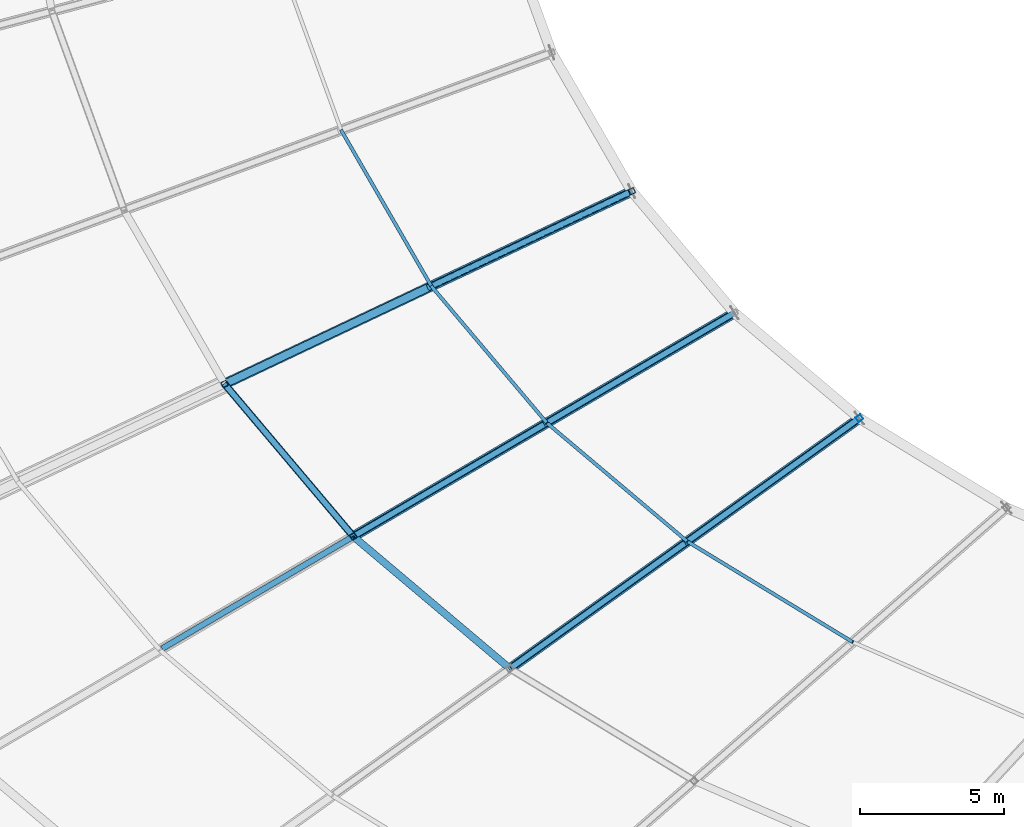
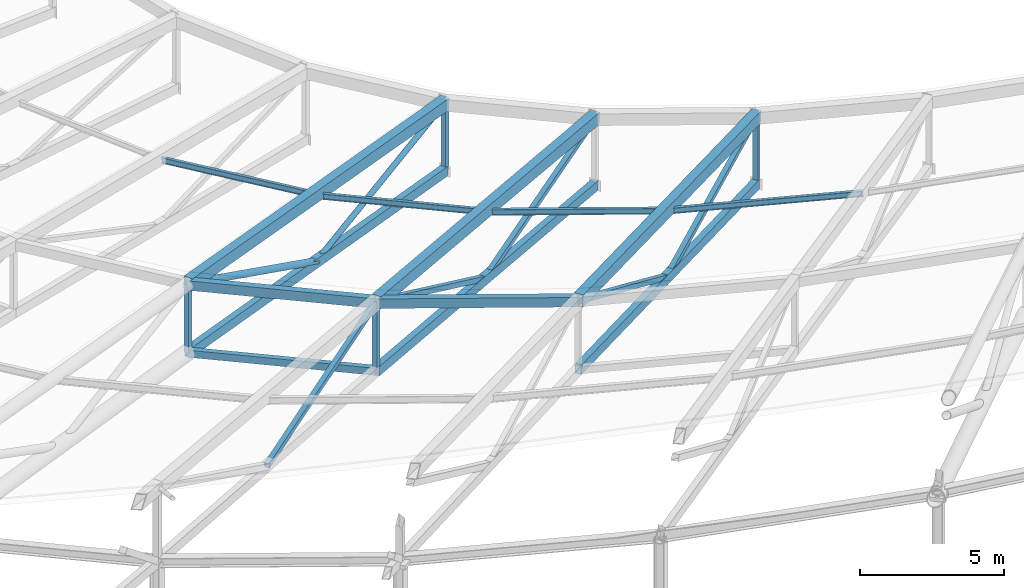
# One storey, part 26 of 143: 16 members, 8 beams.
"""IFC4 building model written with IfcOpenShell, lengths in metres."""

from ifc_helpers import new_model, si_unit, direction, frame, origin, origin_2d, place, context, subcontext, project, spatial, hollow_rectangle, hollow_circle, i_section, extrude, material, material_profile, profile_set, type_object, element, save


model = new_model("IFC4")

# Units and contexts
model_context = context("Model", 3, precision=1e-05, world=origin(), true_north=direction((0.0, 1.0)))
body_context = subcontext(model_context, "Body", "Model", "MODEL_VIEW")
ifc_project = project(units=[si_unit("LENGTHUNIT", "METRE"), si_unit("AREAUNIT", "SQUARE_METRE"), si_unit("VOLUMEUNIT", "CUBIC_METRE"), si_unit("PLANEANGLEUNIT", "RADIAN"), si_unit("MASSUNIT", "GRAM", prefix="KILO")], contexts=[model_context])

# Site, building, storey
site_placement = place(None, origin())
site = spatial("IfcSite", under=ifc_project, at=site_placement, CompositionType="ELEMENT")
building_placement = place(site_placement, origin())
building = spatial("IfcBuilding", under=site, at=building_placement, Name="Mphavela Belvedere Stadium", CompositionType="ELEMENT")
storey_placement = place(building_placement, frame((0.0, 0.0, 28.800048828125)))
storey = spatial("IfcBuildingStorey", under=building, at=storey_placement, Name="RF", CompositionType="ELEMENT", Elevation=28.800048828125)

# Beams
ifc_material_1 = material(Name="Steel S355", Category="steel")
ifc_material_profile_1 = material_profile(ifc_material_1, hollow_rectangle(XDim=0.25, YDim=0.39990234375, WallThickness=0.01611328125, at=origin_2d()), Name="RHS 400x250x16")
ifc_profile_set_1 = profile_set([ifc_material_profile_1], Name="Steel S355")
beam_type_1 = type_object("IfcBeamType", Name="BM-RING-MID", PredefinedType="BEAM", material=ifc_profile_set_1)
beam_1_placement = place(storey_placement, frame((45.16552734375, 53.945068359375, 4.30712890625), z_axis=(0.640074393975, -0.757992954841, 0.125504783132), x_axis=(0.764034161883, 0.645175789592, 0.0)))
element("IfcBeam", 1, at=beam_1_placement, inside=storey, type_object=beam_type_1, Name="Intermediate roof ring beam RB-MID-29", PredefinedType="BEAM", context=body_context, shape_type="SweptSolid", body=[
    extrude(hollow_rectangle(XDim=0.25, YDim=0.39990234375, WallThickness=0.01611328125, at=origin_2d()), origin(), (0.0, 0.0, 1.0), 6.9833984375),
])
beam_2_placement = place(storey_placement, frame((49.635498046875, 48.651611328125, 5.18359375), z_axis=(0.757645625472, -0.63937086052, 0.131064903468), x_axis=(0.644934198489, 0.764238104009, 0.0)))
element("IfcBeam", 2, at=beam_2_placement, inside=storey, type_object=beam_type_1, Name="Intermediate roof ring beam RB-MID-30", PredefinedType="BEAM", context=body_context, shape_type="SweptSolid", body=[
    extrude(hollow_rectangle(XDim=0.25, YDim=0.39990234375, WallThickness=0.01611328125, at=origin_2d()), origin(), (0.0, 0.0, 1.0), 7.17724609375),
])
ifc_material_2 = material(Name="Steel S355", Category="steel")
ifc_material_profile_2 = material_profile(ifc_material_2, hollow_rectangle(XDim=0.25, YDim=0.39990234375, WallThickness=0.01611328125, at=origin_2d()), Name="RHS 400x250x16")
ifc_profile_set_2 = profile_set([ifc_material_profile_2], Name="Steel S355")
beam_type_2 = type_object("IfcBeamType", Name="BM-TRUSS-BC2", PredefinedType="BEAM", material=ifc_profile_set_2)
beam_3_placement = place(storey_placement, frame((45.16552734375, 53.945068359375, 1.4072265625), z_axis=(0.900712517801, 0.426338191468, -0.083382892568), x_axis=(-0.427828067203, 0.903860135703, 0.0)))
element("IfcBeam", 3, at=beam_3_placement, inside=storey, type_object=beam_type_2, Name="Radial roof truss RT-29 bottom chord 3", PredefinedType="BEAM", context=body_context, shape_type="SweptSolid", body=[
    extrude(hollow_rectangle(XDim=0.25, YDim=0.39990234375, WallThickness=0.01611328125, at=origin_2d()), origin(), (0.0, 0.0, 1.0), 15.69970703125),
])
beam_4_placement = place(storey_placement, frame((49.635498046875, 48.651611328125, 2.28369140625), z_axis=(0.858497397532, 0.503668275615, -0.096439030324), x_axis=(-0.506026920854, 0.862517684092, 0.0)))
element("IfcBeam", 4, at=beam_4_placement, inside=storey, type_object=beam_type_2, Name="Radial roof truss RT-30 bottom chord 3", PredefinedType="BEAM", context=body_context, shape_type="SweptSolid", body=[
    extrude(hollow_rectangle(XDim=0.25, YDim=0.39990234375, WallThickness=0.01611328125, at=origin_2d()), origin(), (0.0, 0.0, 1.0), 15.417236328125),
])
beam_5_placement = place(storey_placement, frame((55.0732421875, 44.062744140625, 3.22412109375), z_axis=(0.80779940347, 0.578789637771, -0.111636369355), x_axis=(-0.582430337712, 0.812880619595, 0.0)))
element("IfcBeam", 5, at=beam_5_placement, inside=storey, type_object=beam_type_2, Name="Radial roof truss RT-31 bottom chord 3", PredefinedType="BEAM", context=body_context, shape_type="SweptSolid", body=[
    extrude(hollow_rectangle(XDim=0.25, YDim=0.39990234375, WallThickness=0.01611328125, at=origin_2d()), origin(), (0.0, 0.0, 1.0), 15.02197265625),
])
ifc_material_3 = material(Name="Steel S355", Category="steel")
ifc_material_profile_3 = material_profile(ifc_material_3, hollow_rectangle(XDim=0.35009765625, YDim=0.5, WallThickness=0.02001953125, at=origin_2d()), Name="RHS 500x350x20")
ifc_profile_set_3 = profile_set([ifc_material_profile_3], Name="Steel S355")
beam_type_3 = type_object("IfcBeamType", Name="BM-TRUSS-TC2", PredefinedType="BEAM", material=ifc_profile_set_3)
beam_6_placement = place(storey_placement, frame((45.16552734375, 53.945068359375, 4.30712890625), z_axis=(0.900468616366, 0.426222744537, -0.086547345303), x_axis=(-0.427828067203, 0.903860135703, 0.0)))
element("IfcBeam", 6, at=beam_6_placement, inside=storey, type_object=beam_type_3, Name="Radial roof truss RT-29 top chord 3", PredefinedType="BEAM", context=body_context, shape_type="SweptSolid", body=[
    extrude(hollow_rectangle(XDim=0.35009765625, YDim=0.5, WallThickness=0.02001953125, at=origin_2d()), origin(), (0.0, 0.0, 1.0), 15.703857421875),
])
beam_7_placement = place(storey_placement, frame((49.635498046875, 48.651611328125, 5.18359375), z_axis=(0.85822558787, 0.503508808732, -0.099637943852), x_axis=(-0.506026920854, 0.862517684092, 0.0)))
element("IfcBeam", 7, at=beam_7_placement, inside=storey, type_object=beam_type_3, Name="Radial roof truss RT-30 top chord 3", PredefinedType="BEAM", context=body_context, shape_type="SweptSolid", body=[
    extrude(hollow_rectangle(XDim=0.35009765625, YDim=0.5, WallThickness=0.02001953125, at=origin_2d()), origin(), (0.0, 0.0, 1.0), 15.422119140625),
])
beam_8_placement = place(storey_placement, frame((55.0732421875, 44.062744140625, 6.124267578125), z_axis=(0.807493132765, 0.578570194293, -0.114940727392), x_axis=(-0.582430337712, 0.812880619595, 0.0)))
element("IfcBeam", 8, at=beam_8_placement, inside=storey, type_object=beam_type_3, Name="Radial roof truss RT-31 top chord 3", PredefinedType="BEAM", context=body_context, shape_type="SweptSolid", body=[
    extrude(hollow_rectangle(XDim=0.35009765625, YDim=0.5, WallThickness=0.02001953125, at=origin_2d()), origin(), (0.0, 0.0, 1.0), 15.027587890625),
])

# Members
ifc_material_4 = material(Name="Steel S355", Category="steel")
ifc_material_profile_4 = material_profile(ifc_material_4, hollow_circle(Radius=0.109619140625, WallThickness=0.012451171875, at=origin_2d()), Name="CHS 219.1x12.5")
ifc_profile_set_4 = profile_set([ifc_material_profile_4], Name="Steel S355")
member_type_1 = type_object("IfcMemberType", Name="MEM-DIAG-219", PredefinedType="BRACE", material=ifc_profile_set_4)
member_1_placement = place(storey_placement, frame((52.236083984375, 57.291748046875, 0.75244140625), z_axis=(0.870229035696, 0.411916423388, 0.270233760981), x_axis=(-0.4278341017, 0.903857279344, 0.0)))
element("IfcMember", 9, at=member_1_placement, inside=storey, type_object=member_type_1, Name="Radial roof truss RT-29 web diagonal D6", PredefinedType="BRACE", context=body_context, shape_type="SweptSolid", body=[
    extrude(hollow_circle(Radius=0.109619140625, WallThickness=0.012451171875, at=origin_2d()), origin(), (0.0, 0.0, 1.0), 8.124755859375),
])
ifc_material_5 = material(Name="Steel S355", Category="steel")
ifc_material_profile_5 = material_profile(ifc_material_5, hollow_circle(Radius=0.136474609375, WallThickness=0.012451171875, at=origin_2d()), Name="CHS 273x12.5")
ifc_profile_set_5 = profile_set([ifc_material_profile_5], Name="Steel S355")
member_type_2 = type_object("IfcMemberType", Name="MEM-DIAG-273", PredefinedType="BRACE", material=ifc_profile_set_5)
member_2_placement = place(storey_placement, frame((45.16552734375, 53.945068359375, 4.30712890625), z_axis=(0.822887727094, 0.38949431867, -0.413702748748), x_axis=(-0.427822032856, 0.903862991942, 0.0)))
element("IfcMember", 10, at=member_2_placement, inside=storey, type_object=member_type_2, Name="Radial roof truss RT-29 web diagonal D5", PredefinedType="BRACE", context=body_context, shape_type="SweptSolid", body=[
    extrude(hollow_circle(Radius=0.136474609375, WallThickness=0.012451171875, at=origin_2d()), origin(), (0.0, 0.0, 1.0), 8.59228515625),
])
ifc_material_6 = material(Name="Steel S355", Category="steel")
ifc_material_profile_6 = material_profile(ifc_material_6, hollow_rectangle(XDim=0.199951171875, YDim=0.199951171875, WallThickness=0.010009765625, at=origin_2d()), Name="SHS 200x200x10")
ifc_profile_set_6 = profile_set([ifc_material_profile_6], Name="Steel S355")
member_type_3 = type_object("IfcMemberType", Name="MEM-POST-SHS200", PredefinedType="POST", material=ifc_profile_set_6)
member_3_placement = place(storey_placement, frame((45.16552734375, 53.945068359375, 1.4072265625), z_axis=(0.0, 0.0, 1.0), x_axis=(-0.903858661687, -0.4278311813, 0.0)))
element("IfcMember", 11, at=member_3_placement, inside=storey, type_object=member_type_3, Name="Radial roof truss RT-29 post P3", PredefinedType="POST", context=body_context, shape_type="SweptSolid", body=[
    extrude(hollow_rectangle(XDim=0.199951171875, YDim=0.199951171875, WallThickness=0.010009765625, at=origin_2d()), origin(), (0.0, 0.0, 1.0), 2.89990234375),
])
member_4_placement = place(storey_placement, frame((59.306396484375, 60.638427734375, 0.09814453125), z_axis=(0.0, 0.0, 1.0), x_axis=(-0.903858661687, -0.4278311813, 0.0)))
element("IfcMember", 12, at=member_4_placement, inside=storey, type_object=member_type_3, Name="Radial roof truss RT-29 post P4", PredefinedType="POST", context=body_context, shape_type="SweptSolid", body=[
    extrude(hollow_rectangle(XDim=0.199951171875, YDim=0.199951171875, WallThickness=0.010009765625, at=origin_2d()), origin(), (0.0, 0.0, 1.0), 2.849853515625),
])
member_5_placement = place(storey_placement, frame((49.635498046875, 48.651611328125, 2.28369140625), z_axis=(0.0, 0.0, 1.0), x_axis=(-0.862513669207, -0.506033764121, 0.0)))
element("IfcMember", 13, at=member_5_placement, inside=storey, type_object=member_type_3, Name="Radial roof truss RT-30 post P3", PredefinedType="POST", context=body_context, shape_type="SweptSolid", body=[
    extrude(hollow_rectangle(XDim=0.199951171875, YDim=0.199951171875, WallThickness=0.010009765625, at=origin_2d()), origin(), (0.0, 0.0, 1.0), 2.89990234375),
])
member_6_placement = place(storey_placement, frame((43.017578125, 44.768798828125, 2.927001953125), z_axis=(0.827464318161, 0.485483178369, 0.282150466402), x_axis=(-0.506043648077, 0.862507870248, 0.0)))
element("IfcMember", 14, at=member_6_placement, inside=storey, type_object=member_type_3, Name="Radial roof truss RT-30 web diagonal D4", PredefinedType="POST", context=body_context, shape_type="SweptSolid", body=[
    extrude(hollow_rectangle(XDim=0.199951171875, YDim=0.199951171875, WallThickness=0.010009765625, at=origin_2d()), origin(), (0.0, 0.0, 1.0), 7.997802734375),
])
member_7_placement = place(storey_placement, frame((49.635498046875, 48.651611328125, 5.18359375), z_axis=(0.77914565138, 0.4571052973, -0.428936826486), x_axis=(-0.506019976989, 0.862521757922, 0.0)))
element("IfcMember", 15, at=member_7_placement, inside=storey, type_object=member_type_3, Name="Radial roof truss RT-30 web diagonal D5", PredefinedType="POST", context=body_context, shape_type="SweptSolid", body=[
    extrude(hollow_rectangle(XDim=0.199951171875, YDim=0.199951171875, WallThickness=0.010009765625, at=origin_2d()), origin(), (0.0, 0.0, 1.0), 8.493896484375),
])
member_8_placement = place(storey_placement, frame((56.25341796875, 52.5341796875, 1.540283203125), z_axis=(0.831730583335, 0.487973565512, 0.264775444684), x_axis=(-0.506033864876, 0.862513610095, 0.0)))
element("IfcMember", 16, at=member_8_placement, inside=storey, type_object=member_type_3, Name="Radial roof truss RT-30 web diagonal D6", PredefinedType="POST", context=body_context, shape_type="SweptSolid", body=[
    extrude(hollow_rectangle(XDim=0.199951171875, YDim=0.199951171875, WallThickness=0.010009765625, at=origin_2d()), origin(), (0.0, 0.0, 1.0), 7.95654296875),
])
member_9_placement = place(storey_placement, frame((67.2080078125, 52.75732421875, 1.547119140625), z_axis=(0.0, 0.0, 1.0), x_axis=(-0.812897512265, -0.582406760395, 0.0)))
element("IfcMember", 17, at=member_9_placement, inside=storey, type_object=member_type_3, Name="Radial roof truss RT-31 post P4", PredefinedType="POST", context=body_context, shape_type="SweptSolid", body=[
    extrude(hollow_rectangle(XDim=0.199951171875, YDim=0.199951171875, WallThickness=0.010009765625, at=origin_2d()), origin(), (0.0, 0.0, 1.0), 2.849853515625),
])
member_10_placement = place(storey_placement, frame((55.0732421875, 44.062744140625, 6.124267578125), z_axis=(0.726814727589, 0.520749357776, -0.447839768372), x_axis=(-0.58241953096, 0.812888362542, 0.0)))
element("IfcMember", 18, at=member_10_placement, inside=storey, type_object=member_type_3, Name="Radial roof truss RT-31 web diagonal D5", PredefinedType="POST", context=body_context, shape_type="SweptSolid", body=[
    extrude(hollow_rectangle(XDim=0.199951171875, YDim=0.199951171875, WallThickness=0.010009765625, at=origin_2d()), origin(), (0.0, 0.0, 1.0), 8.347900390625),
])
member_11_placement = place(storey_placement, frame((61.140625, 48.409912109375, 2.3857421875), z_axis=(0.78487904965, 0.562382956588, 0.260173571987), x_axis=(-0.582441144155, 0.812872876652, 0.0)))
element("IfcMember", 19, at=member_11_placement, inside=storey, type_object=member_type_3, Name="Radial roof truss RT-31 web diagonal D6", PredefinedType="POST", context=body_context, shape_type="SweptSolid", body=[
    extrude(hollow_rectangle(XDim=0.199951171875, YDim=0.199951171875, WallThickness=0.010009765625, at=origin_2d()), origin(), (0.0, 0.0, 1.0), 7.730224609375),
])
ifc_material_7 = material(Name="Steel S355", Category="steel")
ifc_material_profile_7 = material_profile(ifc_material_7, i_section(OverallWidth=0.1201171875, OverallDepth=0.239990234375, WebThickness=0.006103515625, FlangeThickness=0.009765625, at=origin_2d()), Name="IPE 240")
ifc_profile_set_7 = profile_set([ifc_material_profile_7], Name="Steel S355")
member_type_4 = type_object("IfcMemberType", Name="MEM-PURLIN-IPE240", PredefinedType="PURLIN", material=ifc_profile_set_7)
member_12_placement = place(storey_placement, frame((49.2109375, 62.762939453125, 2.78173828125), z_axis=(0.497680434654, -0.860704890066, 0.107244007655), x_axis=(0.865697601254, 0.500567341308, 0.0)))
element("IfcMember", 20, at=member_12_placement, inside=storey, type_object=member_type_4, Name="Saddle canopy steel purlin 28-1", PredefinedType="PURLIN", context=body_context, shape_type="SweptSolid", body=[
    extrude(i_section(OverallWidth=0.1201171875, OverallDepth=0.239990234375, WebThickness=0.006103515625, FlangeThickness=0.009765625, at=origin_2d()), origin(), (0.0, 0.0, 1.0), 6.296875),
])
member_13_placement = place(storey_placement, frame((52.3447265625, 57.34326171875, 3.45703125), z_axis=(0.640056738114, -0.758007045326, 0.125509725646), x_axis=(0.764048846211, 0.645158399623, 0.0)))
element("IfcMember", 21, at=member_13_placement, inside=storey, type_object=member_type_4, Name="Saddle canopy steel purlin 29-1", PredefinedType="PURLIN", context=body_context, shape_type="SweptSolid", body=[
    extrude(i_section(OverallWidth=0.1201171875, OverallDepth=0.239990234375, WebThickness=0.006103515625, FlangeThickness=0.009765625, at=origin_2d()), origin(), (0.0, 0.0, 1.0), 6.265380859375),
])
member_14_placement = place(storey_placement, frame((56.35498046875, 52.593994140625, 4.243408203125), z_axis=(0.757651820554, -0.639363505896, 0.131064969158), x_axis=(0.64492678552, 0.764244359691, 0.0)))
element("IfcMember", 22, at=member_14_placement, inside=storey, type_object=member_type_4, Name="Saddle canopy steel purlin 30-1", PredefinedType="PURLIN", context=body_context, shape_type="SweptSolid", body=[
    extrude(i_section(OverallWidth=0.1201171875, OverallDepth=0.239990234375, WebThickness=0.006103515625, FlangeThickness=0.009765625, at=origin_2d()), origin(), (0.0, 0.0, 1.0), 6.439453125),
])
member_15_placement = place(storey_placement, frame((61.23388671875, 48.476806640625, 5.08740234375), z_axis=(0.847687512929, -0.515686174801, 0.124473489322), x_axis=(0.519728134886, 0.85433170713, 0.0)))
element("IfcMember", 23, at=member_15_placement, inside=storey, type_object=member_type_4, Name="Saddle canopy steel purlin 31-1", PredefinedType="PURLIN", context=body_context, shape_type="SweptSolid", body=[
    extrude(i_section(OverallWidth=0.1201171875, OverallDepth=0.239990234375, WebThickness=0.006103515625, FlangeThickness=0.009765625, at=origin_2d()), origin(), (0.0, 0.0, 1.0), 6.778564453125),
])
ifc_material_8 = material(Name="Steel S355", Category="steel")
ifc_material_profile_8 = material_profile(ifc_material_8, hollow_rectangle(XDim=0.199951171875, YDim=0.300048828125, WallThickness=0.011962890625, at=origin_2d()), Name="RHS 300x200x12")
ifc_profile_set_8 = profile_set([ifc_material_profile_8], Name="Steel S355")
member_type_5 = type_object("IfcMemberType", Name="MEM-SEC-CHORD", PredefinedType="CHORD", material=ifc_profile_set_8)
member_16_placement = place(storey_placement, frame((45.16552734375, 53.945068359375, 1.4072265625), z_axis=(0.640074393975, -0.757992954841, 0.125504783132), x_axis=(0.764034161883, 0.645175789592, 0.0)))
element("IfcMember", 24, at=member_16_placement, inside=storey, type_object=member_type_5, Name="Secondary bottom roof tie chord 29", PredefinedType="CHORD", context=body_context, shape_type="SweptSolid", body=[
    extrude(hollow_rectangle(XDim=0.199951171875, YDim=0.300048828125, WallThickness=0.011962890625, at=origin_2d()), origin(), (0.0, 0.0, 1.0), 6.9833984375),
])

save(model, "model.ifc")
